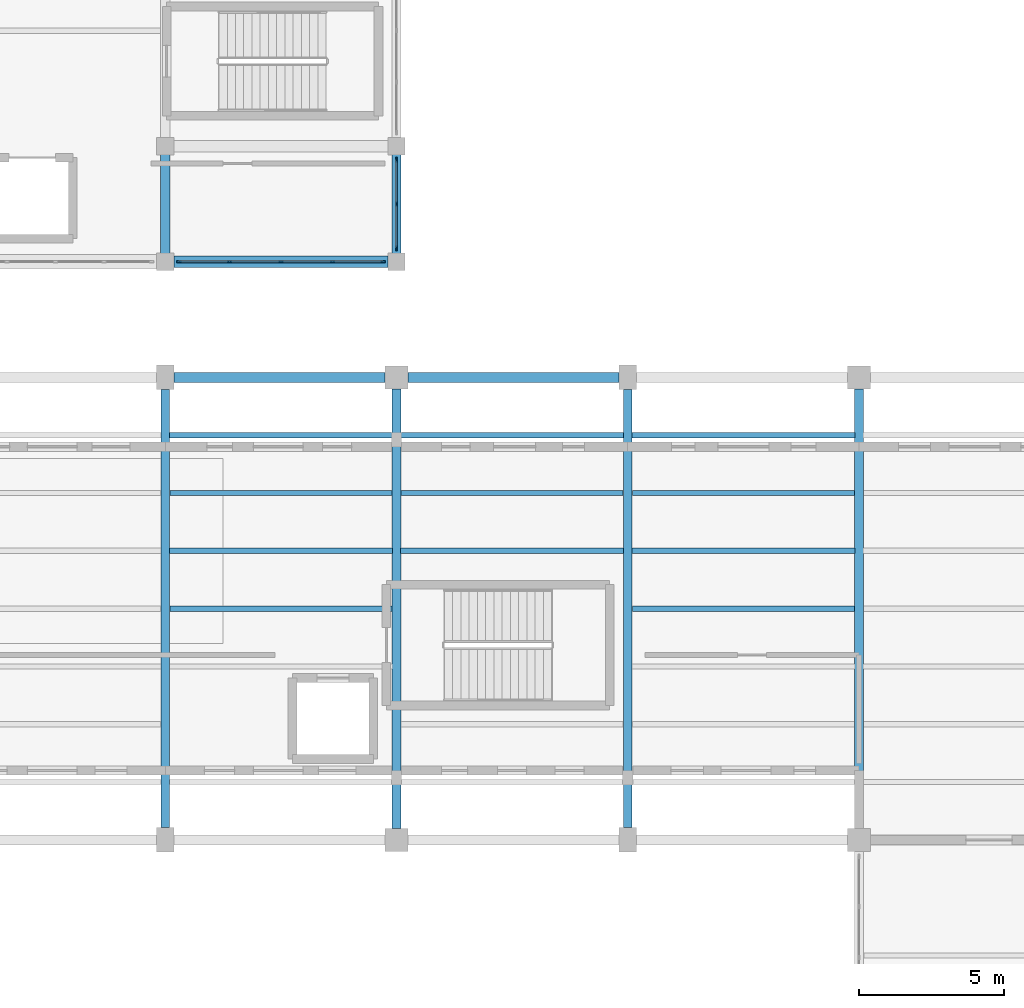
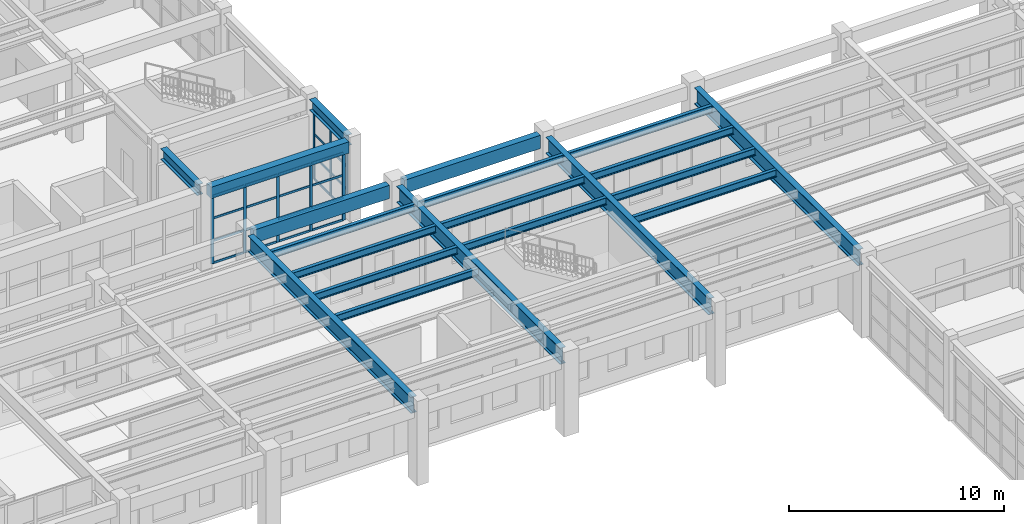
# One storey, part 21 of 59: 32 members, 20 beams, 2 elements without a shape of their own.
"""IFC4 building model written with IfcOpenShell, lengths in metres."""

from ifc_helpers import new_model, si_unit, direction, frame, origin, origin_2d, place, context, subcontext, project, spatial, rectangle, i_section, extrude, material, material_profile, profile_set, type_object, element, aggregate, save


model = new_model("IFC4")

# Units and contexts
model_context = context("Model", 3, precision=1e-05, world=origin(), true_north=direction((0.0, 1.0)))
body_context = subcontext(model_context, "Body", "Model", "MODEL_VIEW")
ifc_project = project(units=[si_unit("LENGTHUNIT", "METRE"), si_unit("AREAUNIT", "SQUARE_METRE"), si_unit("VOLUMEUNIT", "CUBIC_METRE"), si_unit("PLANEANGLEUNIT", "RADIAN"), si_unit("MASSUNIT", "GRAM", prefix="KILO")], contexts=[model_context])

# Site, building, storey
site_placement = place(None, origin())
site = spatial("IfcSite", under=ifc_project, at=site_placement, CompositionType="ELEMENT")
building_placement = place(site_placement, origin())
building = spatial("IfcBuilding", under=site, at=building_placement, Name="Serraluz Foothill Cableway Terminal", CompositionType="ELEMENT")
storey_placement = place(building_placement, frame((0.0, 0.0, 4.800048828125)))
storey = spatial("IfcBuildingStorey", under=building, at=storey_placement, Name="L01", CompositionType="ELEMENT", Elevation=4.800048828125)

# Beams
ifc_material_1 = material(Name="Concrete C28/35 (f'c 28 MPa)", Category="concrete")
ifc_material_profile_1 = material_profile(ifc_material_1, rectangle(XDim=0.39990234375, YDim=0.64990234375, at=origin_2d()), Name="RC 400x650")
ifc_profile_set_1 = profile_set([ifc_material_profile_1], Name="Concrete C28/35 (f'c 28 MPa)")
beam_type_1 = type_object("IfcBeamType", Name="TYP-BM-RC400X650", PredefinedType="BEAM", material=ifc_profile_set_1)
beam_1_placement = place(storey_placement, frame((96.2958984375, 76.0, 4.175048828125), z_axis=(1.0, 0.0, 0.0), x_axis=(0.0, 1.0, 0.0)))
element("IfcBeam", 1, at=beam_1_placement, inside=storey, type_object=beam_type_1, Name="Primary Girder BM-X-L01-0235", PredefinedType="BEAM", context=body_context, shape_type="SweptSolid", body=[
    extrude(rectangle(XDim=0.39990234375, YDim=0.64990234375, at=origin_2d()), origin(), (0.0, 0.0, 1.0), 7.408203125),
])
ifc_material_2 = material(Name="Steel ASTM A992 Grade 50", Category="steel")
ifc_material_profile_2 = material_profile(ifc_material_2, i_section(OverallWidth=0.324951171875, OverallDepth=0.615966796875, WebThickness=0.013916015625, FlangeThickness=0.021484375, FilletRadius=0.01806640625, at=origin_2d()), Name="W24X117")
ifc_profile_set_2 = profile_set([ifc_material_profile_2], Name="Steel ASTM A992 Grade 50")
beam_type_2 = type_object("IfcBeamType", Name="TYP-BM-W24X117", PredefinedType="BEAM", material=ifc_profile_set_2)
for number, where, z_axis, x_axis, name in (
    (2, (96.0, 76.2958984375, 4.19189453125), (0.0, 1.0, 0.0), (-1.0, 0.0, 0.0), "Transverse Girder BM-Y-L01-0266"),
    (3, (104.0, 76.2958984375, 4.19189453125), (0.0, 1.0, 0.0), (-1.0, 0.0, 0.0), "Transverse Girder BM-Y-L01-0270"),
):
    element("IfcBeam", number, at=place(storey_placement, frame(where, z_axis=z_axis, x_axis=x_axis)), inside=storey, type_object=beam_type_2, Name=name, PredefinedType="BEAM", context=body_context, shape_type="SweptSolid", body=[
        extrude(i_section(OverallWidth=0.324951171875, OverallDepth=0.615966796875, WebThickness=0.013916015625, FlangeThickness=0.021484375, FilletRadius=0.01806640625, at=origin_2d()), origin(), (0.0, 0.0, 1.0), 3.408203125),
    ])
ifc_material_profile_3 = material_profile(ifc_material_2, i_section(OverallWidth=0.30810546875, OverallDepth=0.927001953125, WebThickness=0.019287109375, FlangeThickness=0.031982421875, FilletRadius=0.02587890625, at=origin_2d()), Name="W36X194")
ifc_profile_set_3 = profile_set([ifc_material_profile_3], Name="Steel ASTM A992 Grade 50")
beam_type_3 = type_object("IfcBeamType", Name="TYP-BM-W36X194", PredefinedType="BEAM", material=ifc_profile_set_3)
beam_2_placement = place(storey_placement, frame((96.0, 56.4208984375, 4.011474609375), z_axis=(0.0, 1.0, 0.0), x_axis=(-1.0, 0.0, 0.0)))
element("IfcBeam", 4, at=beam_2_placement, inside=storey, type_object=beam_type_3, Name="Transverse Girder BM-Y-L01-0265", PredefinedType="BEAM", context=body_context, shape_type="SweptSolid", body=[
    extrude(i_section(OverallWidth=0.30810546875, OverallDepth=0.927001953125, WebThickness=0.019287109375, FlangeThickness=0.031982421875, FilletRadius=0.02587890625, at=origin_2d()), origin(), (0.0, 0.0, 1.0), 15.158203125),
])
beam_3_placement = place(storey_placement, frame((104.0, 56.39599609375, 4.011474609375), z_axis=(0.0, 1.0, 0.0), x_axis=(-1.0, 0.0, 0.0)))
element("IfcBeam", 5, at=beam_3_placement, inside=storey, type_object=beam_type_3, Name="Transverse Girder BM-Y-L01-0269", PredefinedType="BEAM", context=body_context, shape_type="SweptSolid", body=[
    extrude(i_section(OverallWidth=0.30810546875, OverallDepth=0.927001953125, WebThickness=0.019287109375, FlangeThickness=0.031982421875, FilletRadius=0.02587890625, at=origin_2d()), origin(), (0.0, 0.0, 1.0), 15.2080078125),
])
beam_4_placement = place(storey_placement, frame((112.0, 56.4208984375, 4.011474609375), z_axis=(0.0, 1.0, 0.0), x_axis=(-1.0, 0.0, 0.0)))
element("IfcBeam", 6, at=beam_4_placement, inside=storey, type_object=beam_type_3, Name="Transverse Girder BM-Y-L01-0273", PredefinedType="BEAM", context=body_context, shape_type="SweptSolid", body=[
    extrude(i_section(OverallWidth=0.30810546875, OverallDepth=0.927001953125, WebThickness=0.019287109375, FlangeThickness=0.031982421875, FilletRadius=0.02587890625, at=origin_2d()), origin(), (0.0, 0.0, 1.0), 15.158203125),
])
beam_5_placement = place(storey_placement, frame((120.0, 56.39599609375, 4.011474609375), z_axis=(0.0, 1.0, 0.0), x_axis=(-1.0, 0.0, 0.0)))
element("IfcBeam", 7, at=beam_5_placement, inside=storey, type_object=beam_type_3, Name="Transverse Girder BM-Y-L01-0280", PredefinedType="BEAM", context=body_context, shape_type="SweptSolid", body=[
    extrude(i_section(OverallWidth=0.30810546875, OverallDepth=0.927001953125, WebThickness=0.019287109375, FlangeThickness=0.031982421875, FilletRadius=0.02587890625, at=origin_2d()), origin(), (0.0, 0.0, 1.0), 15.2080078125),
])

# Curtain wall, members
ifc_material_3 = material(Name="Architectural bronze alloy C28000", Category="aluminium")
curtain_wall_type = type_object("IfcCurtainWallType", Name="TYP-CW-680X420", PredefinedType="NOTDEFINED", material=ifc_material_3)
curtain_wall_1_placement = place(storey_placement, origin())
curtain_wall_1 = element("IfcCurtainWall", 8, at=curtain_wall_1_placement, inside=storey, type_object=curtain_wall_type, Name="Ribbed Glazed Curtain Wall CW-V4S-L01-96", PredefinedType="NOTDEFINED")
ifc_material_profile_4 = material_profile(ifc_material_3, rectangle(XDim=0.06005859375, YDim=0.159912109375, at=origin_2d()), Name="ALU MULLION 60x160")
ifc_profile_set_4 = profile_set([ifc_material_profile_4], Name="Architectural bronze alloy C28000")
member_type_1 = type_object("IfcMemberType", Name="TYP-CW-MUL-60X160", PredefinedType="MULLION", material=ifc_profile_set_4)
member_1_placement = place(storey_placement, frame((103.530029296875, 76.0, 0.0), z_axis=(0.0, 0.0, 1.0), x_axis=(0.0, -1.0, 0.0)))
member_1 = element("IfcMember", 9, at=member_1_placement, type_object=member_type_1, Name="CW-13 mullion 1", PredefinedType="MULLION", context=body_context, shape_type="SweptSolid", body=[
    extrude(rectangle(XDim=0.06005859375, YDim=0.159912109375, at=origin_2d()), origin(), (0.0, 0.0, 1.0), 3.849853515625),
])
member_2_placement = place(storey_placement, frame((101.780029296875, 76.0, 0.0), z_axis=(0.0, 0.0, 1.0), x_axis=(0.0, -1.0, 0.0)))
member_2 = element("IfcMember", 10, at=member_2_placement, type_object=member_type_1, Name="CW-13 mullion 2", PredefinedType="MULLION", context=body_context, shape_type="SweptSolid", body=[
    extrude(rectangle(XDim=0.06005859375, YDim=0.159912109375, at=origin_2d()), origin(), (0.0, 0.0, 1.0), 3.849853515625),
])
member_3_placement = place(storey_placement, frame((100.0, 76.0, 0.0), z_axis=(0.0, 0.0, 1.0), x_axis=(0.0, -1.0, 0.0)))
member_3 = element("IfcMember", 11, at=member_3_placement, type_object=member_type_1, Name="CW-13 mullion 3", PredefinedType="MULLION", context=body_context, shape_type="SweptSolid", body=[
    extrude(rectangle(XDim=0.06005859375, YDim=0.159912109375, at=origin_2d()), origin(), (0.0, 0.0, 1.0), 3.849853515625),
])
member_4_placement = place(storey_placement, frame((98.219970703125, 76.0, 0.0), z_axis=(0.0, 0.0, 1.0), x_axis=(0.0, -1.0, 0.0)))
member_4 = element("IfcMember", 12, at=member_4_placement, type_object=member_type_1, Name="CW-13 mullion 4", PredefinedType="MULLION", context=body_context, shape_type="SweptSolid", body=[
    extrude(rectangle(XDim=0.06005859375, YDim=0.159912109375, at=origin_2d()), origin(), (0.0, 0.0, 1.0), 3.849853515625),
])
member_5_placement = place(storey_placement, frame((96.469970703125, 76.0, 0.0), z_axis=(0.0, 0.0, 1.0), x_axis=(0.0, -1.0, 0.0)))
member_5 = element("IfcMember", 13, at=member_5_placement, type_object=member_type_1, Name="CW-13 mullion 5", PredefinedType="MULLION", context=body_context, shape_type="SweptSolid", body=[
    extrude(rectangle(XDim=0.06005859375, YDim=0.159912109375, at=origin_2d()), origin(), (0.0, 0.0, 1.0), 3.849853515625),
])

curtain_wall_2_placement = place(storey_placement, origin())
curtain_wall_2 = element("IfcCurtainWall", 14, at=curtain_wall_2_placement, inside=storey, type_object=curtain_wall_type, Name="Ribbed Glazed Curtain Wall CW-V4E-L01-76", PredefinedType="NOTDEFINED")
member_6_placement = place(storey_placement, frame((104.0, 79.530029296875, 0.0), z_axis=(0.0, 0.0, 1.0), x_axis=(1.0, 0.0, 0.0)))
member_6 = element("IfcMember", 15, at=member_6_placement, type_object=member_type_1, Name="CW-13 mullion 1", PredefinedType="MULLION", context=body_context, shape_type="SweptSolid", body=[
    extrude(rectangle(XDim=0.06005859375, YDim=0.159912109375, at=origin_2d()), origin(), (0.0, 0.0, 1.0), 3.884033203125),
])
member_7_placement = place(storey_placement, frame((104.0, 78.0, 0.0), z_axis=(0.0, 0.0, 1.0), x_axis=(1.0, 0.0, 0.0)))
member_7 = element("IfcMember", 16, at=member_7_placement, type_object=member_type_1, Name="CW-13 mullion 2", PredefinedType="MULLION", context=body_context, shape_type="SweptSolid", body=[
    extrude(rectangle(XDim=0.06005859375, YDim=0.159912109375, at=origin_2d()), origin(), (0.0, 0.0, 1.0), 3.884033203125),
])
member_8_placement = place(storey_placement, frame((104.0, 76.469970703125, 0.0), z_axis=(0.0, 0.0, 1.0), x_axis=(1.0, 0.0, 0.0)))
member_8 = element("IfcMember", 17, at=member_8_placement, type_object=member_type_1, Name="CW-13 mullion 3", PredefinedType="MULLION", context=body_context, shape_type="SweptSolid", body=[
    extrude(rectangle(XDim=0.06005859375, YDim=0.159912109375, at=origin_2d()), origin(), (0.0, 0.0, 1.0), 3.884033203125),
])

# Member
ifc_material_profile_5 = material_profile(ifc_material_3, rectangle(XDim=0.06005859375, YDim=0.1201171875, at=origin_2d()), Name="ALU TRANSOM 60x120")
ifc_profile_set_5 = profile_set([ifc_material_profile_5], Name="Architectural bronze alloy C28000")
member_type_2 = type_object("IfcMemberType", Name="TYP-CW-TRN-60X120", PredefinedType="USERDEFINED", material=ifc_profile_set_5)
member_9_placement = place(storey_placement, frame((103.5, 76.0, 0.030029296875), z_axis=(-1.0, 0.0, 0.0), x_axis=(0.0, -1.0, 0.0)))
member_9 = element("IfcMember", 18, at=member_9_placement, type_object=member_type_2, Name="CW-13 transom 1.1", ObjectType="TRANSOM", PredefinedType="USERDEFINED", context=body_context, shape_type="SweptSolid", body=[
    extrude(rectangle(XDim=0.06005859375, YDim=0.1201171875, at=origin_2d()), origin(), (0.0, 0.0, 1.0), 1.68994140625),
])

member_10_placement = place(storey_placement, frame((103.5, 76.0, 1.283203125), z_axis=(-1.0, 0.0, 0.0), x_axis=(0.0, -1.0, 0.0)))
member_10 = element("IfcMember", 19, at=member_10_placement, type_object=member_type_2, Name="CW-13 transom 1.2", ObjectType="TRANSOM", PredefinedType="USERDEFINED", context=body_context, shape_type="SweptSolid", body=[
    extrude(rectangle(XDim=0.06005859375, YDim=0.1201171875, at=origin_2d()), origin(), (0.0, 0.0, 1.0), 1.68994140625),
])

member_11_placement = place(storey_placement, frame((103.5, 76.0, 2.566650390625), z_axis=(-1.0, 0.0, 0.0), x_axis=(0.0, -1.0, 0.0)))
member_11 = element("IfcMember", 20, at=member_11_placement, type_object=member_type_2, Name="CW-13 transom 1.3", ObjectType="TRANSOM", PredefinedType="USERDEFINED", context=body_context, shape_type="SweptSolid", body=[
    extrude(rectangle(XDim=0.06005859375, YDim=0.1201171875, at=origin_2d()), origin(), (0.0, 0.0, 1.0), 1.68994140625),
])

member_12_placement = place(storey_placement, frame((103.5, 76.0, 3.820068359375), z_axis=(-1.0, 0.0, 0.0), x_axis=(0.0, -1.0, 0.0)))
member_12 = element("IfcMember", 21, at=member_12_placement, type_object=member_type_2, Name="CW-13 transom 1.4", ObjectType="TRANSOM", PredefinedType="USERDEFINED", context=body_context, shape_type="SweptSolid", body=[
    extrude(rectangle(XDim=0.06005859375, YDim=0.1201171875, at=origin_2d()), origin(), (0.0, 0.0, 1.0), 1.68994140625),
])

member_13_placement = place(storey_placement, frame((101.75, 76.0, 0.030029296875), z_axis=(-1.0, 0.0, 0.0), x_axis=(0.0, -1.0, 0.0)))
member_13 = element("IfcMember", 22, at=member_13_placement, type_object=member_type_2, Name="CW-13 transom 2.1", ObjectType="TRANSOM", PredefinedType="USERDEFINED", context=body_context, shape_type="SweptSolid", body=[
    extrude(rectangle(XDim=0.06005859375, YDim=0.1201171875, at=origin_2d()), origin(), (0.0, 0.0, 1.0), 1.719970703125),
])

member_14_placement = place(storey_placement, frame((101.75, 76.0, 1.283203125), z_axis=(-1.0, 0.0, 0.0), x_axis=(0.0, -1.0, 0.0)))
member_14 = element("IfcMember", 23, at=member_14_placement, type_object=member_type_2, Name="CW-13 transom 2.2", ObjectType="TRANSOM", PredefinedType="USERDEFINED", context=body_context, shape_type="SweptSolid", body=[
    extrude(rectangle(XDim=0.06005859375, YDim=0.1201171875, at=origin_2d()), origin(), (0.0, 0.0, 1.0), 1.719970703125),
])

member_15_placement = place(storey_placement, frame((101.75, 76.0, 2.566650390625), z_axis=(-1.0, 0.0, 0.0), x_axis=(0.0, -1.0, 0.0)))
member_15 = element("IfcMember", 24, at=member_15_placement, type_object=member_type_2, Name="CW-13 transom 2.3", ObjectType="TRANSOM", PredefinedType="USERDEFINED", context=body_context, shape_type="SweptSolid", body=[
    extrude(rectangle(XDim=0.06005859375, YDim=0.1201171875, at=origin_2d()), origin(), (0.0, 0.0, 1.0), 1.719970703125),
])

member_16_placement = place(storey_placement, frame((101.75, 76.0, 3.820068359375), z_axis=(-1.0, 0.0, 0.0), x_axis=(0.0, -1.0, 0.0)))
member_16 = element("IfcMember", 25, at=member_16_placement, type_object=member_type_2, Name="CW-13 transom 2.4", ObjectType="TRANSOM", PredefinedType="USERDEFINED", context=body_context, shape_type="SweptSolid", body=[
    extrude(rectangle(XDim=0.06005859375, YDim=0.1201171875, at=origin_2d()), origin(), (0.0, 0.0, 1.0), 1.719970703125),
])

member_17_placement = place(storey_placement, frame((99.969970703125, 76.0, 0.030029296875), z_axis=(-1.0, 0.0, 0.0), x_axis=(0.0, -1.0, 0.0)))
member_17 = element("IfcMember", 26, at=member_17_placement, type_object=member_type_2, Name="CW-13 transom 3.1", ObjectType="TRANSOM", PredefinedType="USERDEFINED", context=body_context, shape_type="SweptSolid", body=[
    extrude(rectangle(XDim=0.06005859375, YDim=0.1201171875, at=origin_2d()), origin(), (0.0, 0.0, 1.0), 1.719970703125),
])

member_18_placement = place(storey_placement, frame((99.969970703125, 76.0, 1.283203125), z_axis=(-1.0, 0.0, 0.0), x_axis=(0.0, -1.0, 0.0)))
member_18 = element("IfcMember", 27, at=member_18_placement, type_object=member_type_2, Name="CW-13 transom 3.2", ObjectType="TRANSOM", PredefinedType="USERDEFINED", context=body_context, shape_type="SweptSolid", body=[
    extrude(rectangle(XDim=0.06005859375, YDim=0.1201171875, at=origin_2d()), origin(), (0.0, 0.0, 1.0), 1.719970703125),
])

member_19_placement = place(storey_placement, frame((99.969970703125, 76.0, 2.566650390625), z_axis=(-1.0, 0.0, 0.0), x_axis=(0.0, -1.0, 0.0)))
member_19 = element("IfcMember", 28, at=member_19_placement, type_object=member_type_2, Name="CW-13 transom 3.3", ObjectType="TRANSOM", PredefinedType="USERDEFINED", context=body_context, shape_type="SweptSolid", body=[
    extrude(rectangle(XDim=0.06005859375, YDim=0.1201171875, at=origin_2d()), origin(), (0.0, 0.0, 1.0), 1.719970703125),
])

member_20_placement = place(storey_placement, frame((99.969970703125, 76.0, 3.820068359375), z_axis=(-1.0, 0.0, 0.0), x_axis=(0.0, -1.0, 0.0)))
member_20 = element("IfcMember", 29, at=member_20_placement, type_object=member_type_2, Name="CW-13 transom 3.4", ObjectType="TRANSOM", PredefinedType="USERDEFINED", context=body_context, shape_type="SweptSolid", body=[
    extrude(rectangle(XDim=0.06005859375, YDim=0.1201171875, at=origin_2d()), origin(), (0.0, 0.0, 1.0), 1.719970703125),
])

member_21_placement = place(storey_placement, frame((98.18994140625, 76.0, 0.030029296875), z_axis=(-1.0, 0.0, 0.0), x_axis=(0.0, -1.0, 0.0)))
member_21 = element("IfcMember", 30, at=member_21_placement, type_object=member_type_2, Name="CW-13 transom 4.1", ObjectType="TRANSOM", PredefinedType="USERDEFINED", context=body_context, shape_type="SweptSolid", body=[
    extrude(rectangle(XDim=0.06005859375, YDim=0.1201171875, at=origin_2d()), origin(), (0.0, 0.0, 1.0), 1.68994140625),
])

member_22_placement = place(storey_placement, frame((98.18994140625, 76.0, 1.283203125), z_axis=(-1.0, 0.0, 0.0), x_axis=(0.0, -1.0, 0.0)))
member_22 = element("IfcMember", 31, at=member_22_placement, type_object=member_type_2, Name="CW-13 transom 4.2", ObjectType="TRANSOM", PredefinedType="USERDEFINED", context=body_context, shape_type="SweptSolid", body=[
    extrude(rectangle(XDim=0.06005859375, YDim=0.1201171875, at=origin_2d()), origin(), (0.0, 0.0, 1.0), 1.68994140625),
])

member_23_placement = place(storey_placement, frame((98.18994140625, 76.0, 2.566650390625), z_axis=(-1.0, 0.0, 0.0), x_axis=(0.0, -1.0, 0.0)))
member_23 = element("IfcMember", 32, at=member_23_placement, type_object=member_type_2, Name="CW-13 transom 4.3", ObjectType="TRANSOM", PredefinedType="USERDEFINED", context=body_context, shape_type="SweptSolid", body=[
    extrude(rectangle(XDim=0.06005859375, YDim=0.1201171875, at=origin_2d()), origin(), (0.0, 0.0, 1.0), 1.68994140625),
])

member_24_placement = place(storey_placement, frame((98.18994140625, 76.0, 3.820068359375), z_axis=(-1.0, 0.0, 0.0), x_axis=(0.0, -1.0, 0.0)))
member_24 = element("IfcMember", 33, at=member_24_placement, type_object=member_type_2, Name="CW-13 transom 4.4", ObjectType="TRANSOM", PredefinedType="USERDEFINED", context=body_context, shape_type="SweptSolid", body=[
    extrude(rectangle(XDim=0.06005859375, YDim=0.1201171875, at=origin_2d()), origin(), (0.0, 0.0, 1.0), 1.68994140625),
])

aggregate(curtain_wall_1, [member_1, member_2, member_3, member_4, member_5, member_9, member_10, member_11, member_12, member_13, member_14, member_15, member_16, member_17, member_18, member_19, member_20, member_21, member_22, member_23, member_24])

member_25_placement = place(storey_placement, frame((104.0, 79.5, 0.030029296875), z_axis=(0.0, -1.0, 0.0), x_axis=(1.0, 0.0, 0.0)))
member_25 = element("IfcMember", 34, at=member_25_placement, type_object=member_type_2, Name="CW-13 transom 1.1", ObjectType="TRANSOM", PredefinedType="USERDEFINED", context=body_context, shape_type="SweptSolid", body=[
    extrude(rectangle(XDim=0.06005859375, YDim=0.1201171875, at=origin_2d()), origin(), (0.0, 0.0, 1.0), 1.469970703125),
])

member_26_placement = place(storey_placement, frame((104.0, 79.5, 1.294677734375), z_axis=(0.0, -1.0, 0.0), x_axis=(1.0, 0.0, 0.0)))
member_26 = element("IfcMember", 35, at=member_26_placement, type_object=member_type_2, Name="CW-13 transom 1.2", ObjectType="TRANSOM", PredefinedType="USERDEFINED", context=body_context, shape_type="SweptSolid", body=[
    extrude(rectangle(XDim=0.06005859375, YDim=0.1201171875, at=origin_2d()), origin(), (0.0, 0.0, 1.0), 1.469970703125),
])

member_27_placement = place(storey_placement, frame((104.0, 79.5, 2.58935546875), z_axis=(0.0, -1.0, 0.0), x_axis=(1.0, 0.0, 0.0)))
member_27 = element("IfcMember", 36, at=member_27_placement, type_object=member_type_2, Name="CW-13 transom 1.3", ObjectType="TRANSOM", PredefinedType="USERDEFINED", context=body_context, shape_type="SweptSolid", body=[
    extrude(rectangle(XDim=0.06005859375, YDim=0.1201171875, at=origin_2d()), origin(), (0.0, 0.0, 1.0), 1.469970703125),
])

member_28_placement = place(storey_placement, frame((104.0, 79.5, 3.85400390625), z_axis=(0.0, -1.0, 0.0), x_axis=(1.0, 0.0, 0.0)))
member_28 = element("IfcMember", 37, at=member_28_placement, type_object=member_type_2, Name="CW-13 transom 1.4", ObjectType="TRANSOM", PredefinedType="USERDEFINED", context=body_context, shape_type="SweptSolid", body=[
    extrude(rectangle(XDim=0.06005859375, YDim=0.1201171875, at=origin_2d()), origin(), (0.0, 0.0, 1.0), 1.469970703125),
])

member_29_placement = place(storey_placement, frame((104.0, 77.969970703125, 0.030029296875), z_axis=(0.0, -1.0, 0.0), x_axis=(1.0, 0.0, 0.0)))
member_29 = element("IfcMember", 38, at=member_29_placement, type_object=member_type_2, Name="CW-13 transom 2.1", ObjectType="TRANSOM", PredefinedType="USERDEFINED", context=body_context, shape_type="SweptSolid", body=[
    extrude(rectangle(XDim=0.06005859375, YDim=0.1201171875, at=origin_2d()), origin(), (0.0, 0.0, 1.0), 1.469970703125),
])

member_30_placement = place(storey_placement, frame((104.0, 77.969970703125, 1.294677734375), z_axis=(0.0, -1.0, 0.0), x_axis=(1.0, 0.0, 0.0)))
member_30 = element("IfcMember", 39, at=member_30_placement, type_object=member_type_2, Name="CW-13 transom 2.2", ObjectType="TRANSOM", PredefinedType="USERDEFINED", context=body_context, shape_type="SweptSolid", body=[
    extrude(rectangle(XDim=0.06005859375, YDim=0.1201171875, at=origin_2d()), origin(), (0.0, 0.0, 1.0), 1.469970703125),
])

member_31_placement = place(storey_placement, frame((104.0, 77.969970703125, 2.58935546875), z_axis=(0.0, -1.0, 0.0), x_axis=(1.0, 0.0, 0.0)))
member_31 = element("IfcMember", 40, at=member_31_placement, type_object=member_type_2, Name="CW-13 transom 2.3", ObjectType="TRANSOM", PredefinedType="USERDEFINED", context=body_context, shape_type="SweptSolid", body=[
    extrude(rectangle(XDim=0.06005859375, YDim=0.1201171875, at=origin_2d()), origin(), (0.0, 0.0, 1.0), 1.469970703125),
])

member_32_placement = place(storey_placement, frame((104.0, 77.969970703125, 3.85400390625), z_axis=(0.0, -1.0, 0.0), x_axis=(1.0, 0.0, 0.0)))
member_32 = element("IfcMember", 41, at=member_32_placement, type_object=member_type_2, Name="CW-13 transom 2.4", ObjectType="TRANSOM", PredefinedType="USERDEFINED", context=body_context, shape_type="SweptSolid", body=[
    extrude(rectangle(XDim=0.06005859375, YDim=0.1201171875, at=origin_2d()), origin(), (0.0, 0.0, 1.0), 1.469970703125),
])

aggregate(curtain_wall_2, [member_6, member_7, member_8, member_25, member_26, member_27, member_28, member_29, member_30, member_31, member_32])

# Beams
ifc_material_profile_6 = material_profile(ifc_material_2, i_section(OverallWidth=0.180908203125, OverallDepth=0.4169921875, WebThickness=0.010986328125, FlangeThickness=0.018310546875, FilletRadius=0.013916015625, at=origin_2d()), Name="W16X57")
ifc_profile_set_6 = profile_set([ifc_material_profile_6], Name="Steel ASTM A992 Grade 50")
beam_type_4 = type_object("IfcBeamType", Name="TYP-JS-W16X57", PredefinedType="JOIST", material=ifc_profile_set_6)
for number, where, z_axis, x_axis, name in (
    (42, (96.158935546875, 64.0, 4.266357421875), (1.0, 0.0, 0.0), (0.0, 1.0, 0.0), "Secondary Floor Joist JS-L01-0093"),
    (43, (96.158935546875, 68.0, 4.266357421875), (1.0, 0.0, 0.0), (0.0, 1.0, 0.0), "Secondary Floor Joist JS-L01-0094"),
    (44, (104.158935546875, 68.0, 4.266357421875), (1.0, 0.0, 0.0), (0.0, 1.0, 0.0), "Secondary Floor Joist JS-L01-0097"),
    (45, (112.158935546875, 64.0, 4.266357421875), (1.0, 0.0, 0.0), (0.0, 1.0, 0.0), "Secondary Floor Joist JS-L01-0099"),
    (46, (112.158935546875, 68.0, 4.266357421875), (1.0, 0.0, 0.0), (0.0, 1.0, 0.0), "Secondary Floor Joist JS-L01-0100"),
):
    element("IfcBeam", number, at=place(storey_placement, frame(where, z_axis=z_axis, x_axis=x_axis)), inside=storey, type_object=beam_type_4, Name=name, PredefinedType="JOIST", context=body_context, shape_type="SweptSolid", body=[
        extrude(i_section(OverallWidth=0.180908203125, OverallDepth=0.4169921875, WebThickness=0.010986328125, FlangeThickness=0.018310546875, FilletRadius=0.013916015625, at=origin_2d()), origin(), (0.0, 0.0, 1.0), 7.68212890625),
    ])
for number, where, z_axis, x_axis, name in (
    (47, (96.139892578125, 66.0, 4.266357421875), (1.0, 0.0, 0.0), (0.0, 1.0, 0.0), "Composite Deck Joist L01-045"),
    (48, (96.139892578125, 70.0, 4.266357421875), (1.0, 0.0, 0.0), (0.0, 1.0, 0.0), "Composite Deck Joist L01-046"),
    (49, (104.139892578125, 66.0, 4.266357421875), (1.0, 0.0, 0.0), (0.0, 1.0, 0.0), "Composite Deck Joist L01-048"),
    (50, (104.139892578125, 70.0, 4.266357421875), (1.0, 0.0, 0.0), (0.0, 1.0, 0.0), "Composite Deck Joist L01-049"),
    (51, (112.139892578125, 66.0, 4.266357421875), (1.0, 0.0, 0.0), (0.0, 1.0, 0.0), "Composite Deck Joist L01-052"),
    (52, (112.139892578125, 70.0, 4.266357421875), (1.0, 0.0, 0.0), (0.0, 1.0, 0.0), "Composite Deck Joist L01-053"),
):
    element("IfcBeam", number, at=place(storey_placement, frame(where, z_axis=z_axis, x_axis=x_axis)), inside=storey, type_object=beam_type_4, Name=name, PredefinedType="JOIST", context=body_context, shape_type="SweptSolid", body=[
        extrude(i_section(OverallWidth=0.180908203125, OverallDepth=0.4169921875, WebThickness=0.010986328125, FlangeThickness=0.018310546875, FilletRadius=0.013916015625, at=origin_2d()), origin(), (0.0, 0.0, 1.0), 7.72021484375),
    ])
ifc_material_4 = material(Name="Precast concrete C40/50", Category="concrete")
ifc_material_profile_7 = material_profile(ifc_material_4, rectangle(XDim=0.35009765625, YDim=0.75, at=origin_2d()), Name="RC SP 350x750")
ifc_profile_set_7 = profile_set([ifc_material_profile_7], Name="Precast concrete C40/50")
beam_type_5 = type_object("IfcBeamType", Name="TYP-SP-RC350X750", PredefinedType="SPANDREL", material=ifc_profile_set_7)
for number, where, z_axis, x_axis, name in (
    (53, (96.2958984375, 72.0, 4.099853515625), (1.0, 0.0, 0.0), (0.0, 1.0, 0.0), "Primary Girder BM-X-L01-0226"),
    (54, (104.39599609375, 72.0, 4.099853515625), (1.0, 0.0, 0.0), (0.0, 1.0, 0.0), "Primary Girder BM-X-L01-0227"),
):
    element("IfcBeam", number, at=place(storey_placement, frame(where, z_axis=z_axis, x_axis=x_axis)), inside=storey, type_object=beam_type_5, Name=name, PredefinedType="SPANDREL", context=body_context, shape_type="SweptSolid", body=[
        extrude(rectangle(XDim=0.35009765625, YDim=0.75, at=origin_2d()), origin(), (0.0, 0.0, 1.0), 7.30810546875),
    ])

save(model, "model.ifc")
